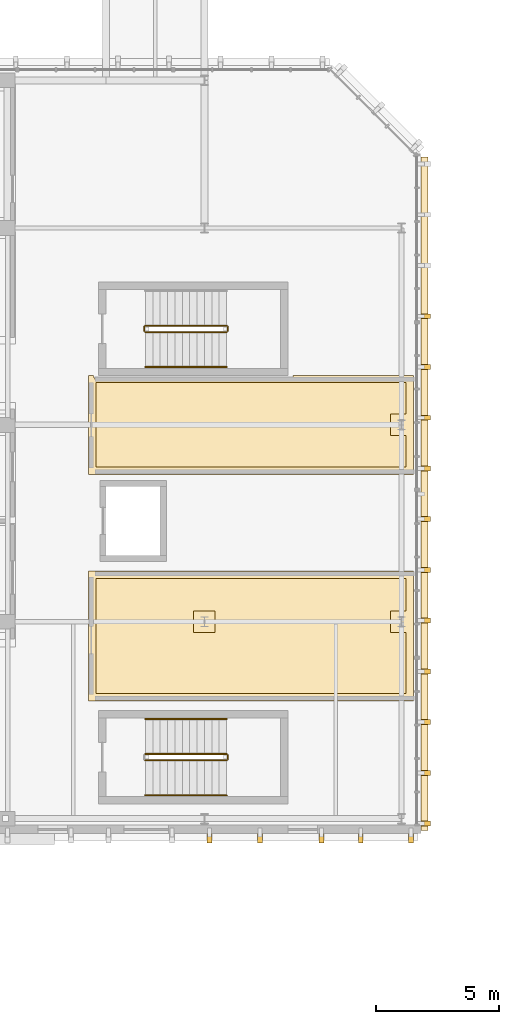
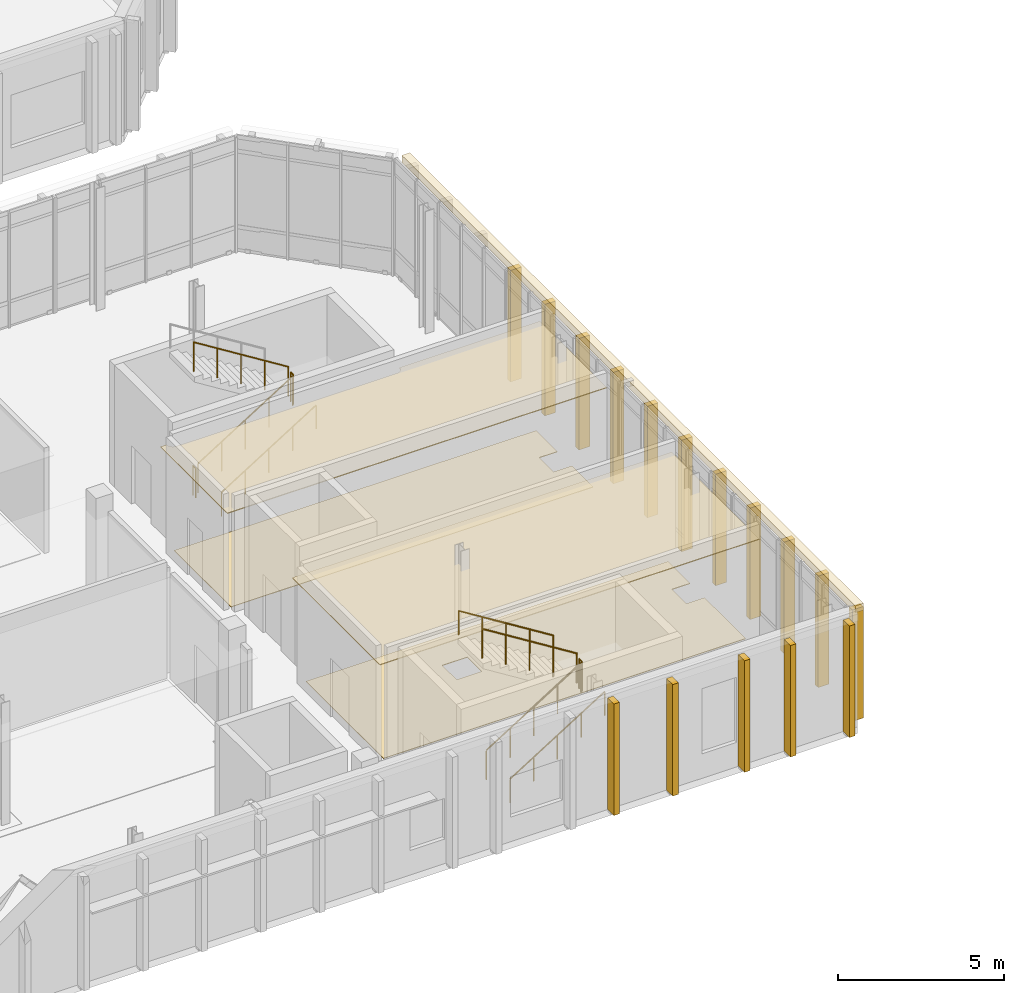
# One storey, part 54 of 62: 21 coverings, 10 railings.
"""IFC4 building model written with IfcOpenShell, lengths in metres."""

from ifc_helpers import new_model, si_unit, direction, frame, origin, origin_2d, place, context, subcontext, project, spatial, polyline, rectangle, circle, outline, extrude, material, layer, layer_set, type_object, element, save


model = new_model("IFC4")

# Units and contexts
model_context = context("Model", 3, precision=1e-05, world=origin(), true_north=direction((0.0, 1.0)))
body_context = subcontext(model_context, "Body", "Model", "MODEL_VIEW")
ifc_project = project(units=[si_unit("LENGTHUNIT", "METRE"), si_unit("AREAUNIT", "SQUARE_METRE"), si_unit("VOLUMEUNIT", "CUBIC_METRE"), si_unit("PLANEANGLEUNIT", "RADIAN"), si_unit("MASSUNIT", "GRAM", prefix="KILO")], contexts=[model_context])

# Site, building, storey
site_placement = place(None, origin())
site = spatial("IfcSite", under=ifc_project, at=site_placement, CompositionType="ELEMENT")
building_placement = place(site_placement, origin())
building = spatial("IfcBuilding", under=site, at=building_placement, Name="Cymarion Research Institute", CompositionType="ELEMENT")
storey_placement = place(building_placement, frame((0.0, 0.0, 18.300048828125)))
storey = spatial("IfcBuildingStorey", under=building, at=storey_placement, Name="L04", CompositionType="ELEMENT", Elevation=18.300048828125)

# Coverings
ifc_material_1 = material(Name="Micro-perforated mineral acoustic ceiling tile", Category="gypsum")
ifc_layer_1 = layer(ifc_material_1, 0.030029296875)
ifc_layer_set_1 = layer_set([ifc_layer_1], Name="Micro-perforated mineral acoustic ceiling tile")
covering_type_1 = type_object("IfcCoveringType", Name="ACOUSTIC MICRO-PERFORATED SUSPENDED CEILING CLG-01", PredefinedType="CEILING", material=ifc_layer_set_1)
covering_1_placement = place(storey_placement, frame((0.0, 0.0, 3.72998046875)))
element("IfcCovering", 1, at=covering_1_placement, inside=storey, type_object=covering_type_1, Name="L04 L04 Gas Cabinet & Thin-Film Deposition Laboratory acoustic ceiling", PredefinedType="CEILING", context=body_context, shape_type="SweptSolid", body=[
    extrude(outline(polyline([(47.094970703125, 57.56494140625), (47.094970703125, 52.284912109375), (33.885009765625, 52.284912109375), (33.885009765625, 57.56494140625), (47.094970703125, 57.56494140625)])), origin(), (0.0, 0.0, 1.0), 0.030029296875),
])
covering_2_placement = place(storey_placement, frame((0.0, 0.0, 3.72998046875)))
element("IfcCovering", 2, at=covering_2_placement, inside=storey, type_object=covering_type_1, Name="L04 L04 Accessible WC and Cleanroom Staff Washrooms acoustic ceiling", PredefinedType="CEILING", context=body_context, shape_type="SweptSolid", body=[
    extrude(outline(polyline([(34.10009765625, 65.514892578125), (34.10009765625, 65.5), (34.10107421875, 65.48046875), (34.103759765625, 65.4609375), (34.108642578125, 65.44189453125), (34.115234375, 65.423583984375), (34.12353515625, 65.40576171875), (34.1337890625, 65.388916015625), (34.1455078125, 65.373046875), (34.15869140625, 65.358642578125), (34.173095703125, 65.345458984375), (34.18896484375, 65.333740234375), (34.205810546875, 65.323486328125), (34.223388671875, 65.315185546875), (34.241943359375, 65.30859375), (34.260986328125, 65.3037109375), (34.280517578125, 65.301025390625), (34.300048828125, 65.300048828125), (42.0, 65.300048828125), (42.01953125, 65.301025390625), (42.0390625, 65.3037109375), (42.05810546875, 65.30859375), (42.076416015625, 65.315185546875), (42.09423828125, 65.323486328125), (42.111083984375, 65.333740234375), (42.126953125, 65.345458984375), (42.141357421875, 65.358642578125), (42.154541015625, 65.373046875), (42.166259765625, 65.388916015625), (42.176513671875, 65.40576171875), (42.184814453125, 65.423583984375), (42.19140625, 65.44189453125), (42.1962890625, 65.4609375), (42.198974609375, 65.48046875), (42.199951171875, 65.5), (42.199951171875, 65.514892578125), (47.094970703125, 65.514892578125), (47.094970703125, 61.485107421875), (33.885009765625, 61.485107421875), (33.885009765625, 65.514892578125), (34.10009765625, 65.514892578125)])), origin(), (0.0, 0.0, 1.0), 0.030029296875),
])

# Railings
ifc_material_2 = material(Name="Steel S355", Category="steel")
railing_type_1 = type_object("IfcRailingType", Name="PAINTED STEEL STAIR GUARDRAIL GR1 1100MM", PredefinedType="GUARDRAIL", material=ifc_material_2)
railing_1_placement = place(storey_placement, frame((36.199951171875, 49.8701171875, 0.1875)))
element("IfcRailing", 3, at=railing_1_placement, inside=storey, type_object=railing_type_1, Name="L04 ST7 stair guard 1", PredefinedType="GUARDRAIL", context=body_context, shape_type="SweptSolid", body=[
    extrude(circle(Radius=0.02392578125, at=origin_2d()), frame((0.0, 0.0, 1.076171875), z_axis=(0.848001828478, 0.0, 0.529993300805), x_axis=(0.0, 1.0, 0.0)), (0.0, 0.0, 1.0), 3.8916015625),
    extrude(circle(Radius=0.02099609375, at=origin_2d()), origin(), (0.0, 0.0, 1.0), 1.052001953125),
    extrude(circle(Radius=0.02099609375, at=origin_2d()), frame((0.824951171875, 0.0, 0.515625)), (0.0, 0.0, 1.0), 1.052001953125),
    extrude(circle(Radius=0.02099609375, at=origin_2d()), frame((1.64990234375, 0.0, 1.03125)), (0.0, 0.0, 1.0), 1.052001953125),
    extrude(circle(Radius=0.02099609375, at=origin_2d()), frame((2.47509765625, 0.0, 1.546875)), (0.0, 0.0, 1.0), 1.052001953125),
    extrude(circle(Radius=0.02099609375, at=origin_2d()), frame((3.300048828125, 0.0, 2.0625)), (0.0, 0.0, 1.0), 1.052001953125),
])
railing_2_placement = place(storey_placement, frame((39.550048828125, 49.919921875, 2.25)))
element("IfcRailing", 4, at=railing_2_placement, inside=storey, type_object=railing_type_1, Name="L04 ST7 stair guard 2", PredefinedType="GUARDRAIL", context=body_context, shape_type="SweptSolid", body=[
    extrude(circle(Radius=0.02392578125, at=origin_2d()), frame((0.0, 0.0, 1.076171875), z_axis=(0.0, 1.0, 0.0), x_axis=(-1.0, 0.0, 0.0)), (0.0, 0.0, 1.0), 0.16015625),
    extrude(circle(Radius=0.02099609375, at=origin_2d()), origin(), (0.0, 0.0, 1.0), 1.052001953125),
    extrude(circle(Radius=0.02099609375, at=origin_2d()), frame((0.0, 0.16015625, 0.0)), (0.0, 0.0, 1.0), 1.052001953125),
])
railing_3_placement = place(storey_placement, frame((39.5, 50.1298828125, 2.4375)))
element("IfcRailing", 5, at=railing_3_placement, inside=storey, type_object=railing_type_1, Name="L04 ST7 stair guard 3", PredefinedType="GUARDRAIL", context=body_context, shape_type="SweptSolid", body=[
    extrude(circle(Radius=0.02392578125, at=origin_2d()), frame((0.0, 0.0, 1.076171875), z_axis=(-0.848001828478, 0.0, 0.529993300805), x_axis=(0.0, -1.0, 0.0)), (0.0, 0.0, 1.0), 3.8916015625),
    extrude(circle(Radius=0.02099609375, at=origin_2d()), origin(), (0.0, 0.0, 1.0), 1.052001953125),
    extrude(circle(Radius=0.02099609375, at=origin_2d()), frame((-0.824951171875, 0.0, 0.515625)), (0.0, 0.0, 1.0), 1.052001953125),
    extrude(circle(Radius=0.02099609375, at=origin_2d()), frame((-1.64990234375, 0.0, 1.03125)), (0.0, 0.0, 1.0), 1.052001953125),
    extrude(circle(Radius=0.02099609375, at=origin_2d()), frame((-2.47509765625, 0.0, 1.546875)), (0.0, 0.0, 1.0), 1.052001953125),
    extrude(circle(Radius=0.02099609375, at=origin_2d()), frame((-3.300048828125, 0.0, 2.0625)), (0.0, 0.0, 1.0), 1.052001953125),
])
railing_4_placement = place(storey_placement, frame((36.199951171875, 67.27001953125, 0.1875)))
element("IfcRailing", 6, at=railing_4_placement, inside=storey, type_object=railing_type_1, Name="L04 ST8 stair guard 1", PredefinedType="GUARDRAIL", context=body_context, shape_type="SweptSolid", body=[
    extrude(circle(Radius=0.02392578125, at=origin_2d()), frame((0.0, 0.0, 1.076171875), z_axis=(0.848001828478, 0.0, 0.529993300805), x_axis=(0.0, 1.0, 0.0)), (0.0, 0.0, 1.0), 3.8916015625),
    extrude(circle(Radius=0.02099609375, at=origin_2d()), origin(), (0.0, 0.0, 1.0), 1.052001953125),
    extrude(circle(Radius=0.02099609375, at=origin_2d()), frame((0.824951171875, 0.0, 0.515625)), (0.0, 0.0, 1.0), 1.052001953125),
    extrude(circle(Radius=0.02099609375, at=origin_2d()), frame((1.64990234375, 0.0, 1.03125)), (0.0, 0.0, 1.0), 1.052001953125),
    extrude(circle(Radius=0.02099609375, at=origin_2d()), frame((2.47509765625, 0.0, 1.546875)), (0.0, 0.0, 1.0), 1.052001953125),
    extrude(circle(Radius=0.02099609375, at=origin_2d()), frame((3.300048828125, 0.0, 2.0625)), (0.0, 0.0, 1.0), 1.052001953125),
])
railing_5_placement = place(storey_placement, frame((39.550048828125, 67.320068359375, 2.25)))
element("IfcRailing", 7, at=railing_5_placement, inside=storey, type_object=railing_type_1, Name="L04 ST8 stair guard 2", PredefinedType="GUARDRAIL", context=body_context, shape_type="SweptSolid", body=[
    extrude(circle(Radius=0.02392578125, at=origin_2d()), frame((0.0, 0.0, 1.076171875), z_axis=(0.0, 1.0, 0.0), x_axis=(-1.0, 0.0, 0.0)), (0.0, 0.0, 1.0), 0.159912109375),
    extrude(circle(Radius=0.02099609375, at=origin_2d()), origin(), (0.0, 0.0, 1.0), 1.052001953125),
    extrude(circle(Radius=0.02099609375, at=origin_2d()), frame((0.0, 0.159912109375, 0.0)), (0.0, 0.0, 1.0), 1.052001953125),
])
railing_6_placement = place(storey_placement, frame((39.5, 67.530029296875, 2.4375)))
element("IfcRailing", 8, at=railing_6_placement, inside=storey, type_object=railing_type_1, Name="L04 ST8 stair guard 3", PredefinedType="GUARDRAIL", context=body_context, shape_type="SweptSolid", body=[
    extrude(circle(Radius=0.02392578125, at=origin_2d()), frame((0.0, 0.0, 1.076171875), z_axis=(-0.848001828478, 0.0, 0.529993300805), x_axis=(0.0, -1.0, 0.0)), (0.0, 0.0, 1.0), 3.8916015625),
    extrude(circle(Radius=0.02099609375, at=origin_2d()), origin(), (0.0, 0.0, 1.0), 1.052001953125),
    extrude(circle(Radius=0.02099609375, at=origin_2d()), frame((-0.824951171875, 0.0, 0.515625)), (0.0, 0.0, 1.0), 1.052001953125),
    extrude(circle(Radius=0.02099609375, at=origin_2d()), frame((-1.64990234375, 0.0, 1.03125)), (0.0, 0.0, 1.0), 1.052001953125),
    extrude(circle(Radius=0.02099609375, at=origin_2d()), frame((-2.47509765625, 0.0, 1.546875)), (0.0, 0.0, 1.0), 1.052001953125),
    extrude(circle(Radius=0.02099609375, at=origin_2d()), frame((-3.300048828125, 0.0, 2.0625)), (0.0, 0.0, 1.0), 1.052001953125),
])
railing_7_placement = place(storey_placement, frame((36.14990234375, 67.320068359375, 0.0)))
element("IfcRailing", 9, at=railing_7_placement, inside=storey, type_object=railing_type_1, Name="L04 ST8 stair guard 4", PredefinedType="GUARDRAIL", context=body_context, shape_type="SweptSolid", body=[
    extrude(circle(Radius=0.02392578125, at=origin_2d()), frame((0.0, 0.0, 1.076171875), z_axis=(0.0, 1.0, 0.0), x_axis=(-1.0, 0.0, 0.0)), (0.0, 0.0, 1.0), 0.159912109375),
    extrude(circle(Radius=0.02099609375, at=origin_2d()), origin(), (0.0, 0.0, 1.0), 1.052001953125),
    extrude(circle(Radius=0.02099609375, at=origin_2d()), frame((0.0, 0.159912109375, 0.0)), (0.0, 0.0, 1.0), 1.052001953125),
])

# Coverings
ifc_material_3 = material(Name="Precast concrete C45/55 architectural white", Category="concrete")
ifc_layer_2 = layer(ifc_material_3, 0.260009765625)
ifc_layer_set_2 = layer_set([ifc_layer_2], Name="Precast concrete C45/55 architectural white")
covering_type_2 = type_object("IfcCoveringType", Name="SCULPTURAL WHITE PRECAST CONCRETE SPANDREL BROW BAND RIB2 280MM", PredefinedType="CLADDING", material=ifc_layer_set_2)
covering_3_placement = place(storey_placement, frame((47.5419921875, 60.699951171875, 4.1201171875), z_axis=(0.0, 0.0, 1.0), x_axis=(1.0, 0.0, 0.0)))
element("IfcCovering", 10, at=covering_3_placement, inside=storey, type_object=covering_type_2, Name="L04 V4 precast spandrel brow band RIB2 #841", PredefinedType="CLADDING", context=body_context, shape_type="SweptSolid", body=[
    extrude(rectangle(XDim=0.280029296875, YDim=27.360107421875, at=origin_2d()), origin(), (0.0, 0.0, 1.0), 0.260009765625),
])
ifc_layer_3 = layer(ifc_material_3, 0.199951171875)
ifc_layer_set_3 = layer_set([ifc_layer_3], Name="Precast concrete C45/55 architectural white")
covering_type_3 = type_object("IfcCoveringType", Name="SCULPTURAL WHITE PRECAST CONCRETE VERTICAL RIB RIB1 380X200", PredefinedType="CLADDING", material=ifc_layer_set_3)
for number, where, z_axis, x_axis, name in (
    (11, (38.800048828125, 46.7080078125, 0.010009765625), (0.0, 0.0, 1.0), (0.0, -1.0, 0.0), "L04 V4 sculptural precast vertical rib RIB1 #836"),
    (12, (40.85009765625, 46.7080078125, 0.010009765625), (0.0, 0.0, 1.0), (0.0, -1.0, 0.0), "L04 V4 sculptural precast vertical rib RIB1 #837"),
    (13, (43.35009765625, 46.7080078125, 0.010009765625), (0.0, 0.0, 1.0), (0.0, -1.0, 0.0), "L04 V4 sculptural precast vertical rib RIB1 #838"),
    (14, (44.949951171875, 46.7080078125, 0.010009765625), (0.0, 0.0, 1.0), (0.0, -1.0, 0.0), "L04 V4 sculptural precast vertical rib RIB1 #839"),
    (15, (47.0, 46.7080078125, 0.010009765625), (0.0, 0.0, 1.0), (0.0, -1.0, 0.0), "L04 V4 sculptural precast vertical rib RIB1 #840"),
    (16, (47.592041015625, 47.300048828125, 0.010009765625), (0.0, 0.0, 1.0), (1.0, 0.0, 0.0), "L04 V4 sculptural precast vertical rib RIB1 #842"),
    (17, (47.592041015625, 49.361572265625, 0.010009765625), (0.0, 0.0, 1.0), (1.0, 0.0, 0.0), "L04 V4 sculptural precast vertical rib RIB1 #843"),
    (18, (47.592041015625, 51.423095703125, 0.010009765625), (0.0, 0.0, 1.0), (1.0, 0.0, 0.0), "L04 V4 sculptural precast vertical rib RIB1 #844"),
    (19, (47.592041015625, 53.484619140625, 0.010009765625), (0.0, 0.0, 1.0), (1.0, 0.0, 0.0), "L04 V4 sculptural precast vertical rib RIB1 #845"),
    (20, (47.592041015625, 55.546142578125, 0.010009765625), (0.0, 0.0, 1.0), (1.0, 0.0, 0.0), "L04 V4 sculptural precast vertical rib RIB1 #846"),
    (21, (47.592041015625, 57.607666015625, 0.010009765625), (0.0, 0.0, 1.0), (1.0, 0.0, 0.0), "L04 V4 sculptural precast vertical rib RIB1 #847"),
    (22, (47.592041015625, 59.669189453125, 0.010009765625), (0.0, 0.0, 1.0), (1.0, 0.0, 0.0), "L04 V4 sculptural precast vertical rib RIB1 #848"),
    (23, (47.592041015625, 61.730712890625, 0.010009765625), (0.0, 0.0, 1.0), (1.0, 0.0, 0.0), "L04 V4 sculptural precast vertical rib RIB1 #849"),
    (24, (47.592041015625, 63.792236328125, 0.010009765625), (0.0, 0.0, 1.0), (1.0, 0.0, 0.0), "L04 V4 sculptural precast vertical rib RIB1 #850"),
    (25, (47.592041015625, 65.853759765625, 0.010009765625), (0.0, 0.0, 1.0), (1.0, 0.0, 0.0), "L04 V4 sculptural precast vertical rib RIB1 #851"),
    (26, (47.592041015625, 67.915283203125, 0.010009765625), (0.0, 0.0, 1.0), (1.0, 0.0, 0.0), "L04 V4 sculptural precast vertical rib RIB1 #852"),
):
    element("IfcCovering", number, at=place(storey_placement, frame(where, z_axis=z_axis, x_axis=x_axis)), inside=storey, type_object=covering_type_3, Name=name, PredefinedType="CLADDING", context=body_context, shape_type="SweptSolid", body=[
        extrude(rectangle(XDim=0.3798828125, YDim=0.199951171875, at=origin_2d()), origin(), (0.0, 0.0, 1.0), 4.10498046875),
    ])
ifc_material_4 = material(Name="Seamless dissipative epoxy resin flooring", Category="resin")
ifc_layer_4 = layer(ifc_material_4, 0.02001953125)
ifc_layer_set_4 = layer_set([ifc_layer_4], Name="Seamless dissipative epoxy resin flooring")
covering_type_4 = type_object("IfcCoveringType", Name="SEAMLESS ESD EPOXY LABORATORY FLOORING FLR-01", PredefinedType="FLOORING", material=ifc_layer_set_4)
covering_4_placement = place(storey_placement, origin())
element("IfcCovering", 27, at=covering_4_placement, inside=storey, type_object=covering_type_4, Name="L04 L04 Gas Cabinet & Thin-Film Deposition Laboratory ESD epoxy flooring", PredefinedType="FLOORING", context=body_context, shape_type="SweptSolid", body=[
    extrude(outline(polyline([(34.18505859375, 57.264892578125), (46.794921875, 57.264892578125), (46.794921875, 55.93505859375), (46.1650390625, 55.93505859375), (46.1650390625, 55.06494140625), (46.794921875, 55.06494140625), (46.794921875, 52.5849609375), (34.18505859375, 52.5849609375), (34.18505859375, 57.264892578125)]), holes=[polyline([(38.1650390625, 55.06494140625), (39.034912109375, 55.06494140625), (39.034912109375, 55.93505859375), (38.1650390625, 55.93505859375), (38.1650390625, 55.06494140625)])]), origin(), (0.0, 0.0, 1.0), 0.02001953125),
])
covering_5_placement = place(storey_placement, origin())
element("IfcCovering", 28, at=covering_5_placement, inside=storey, type_object=covering_type_4, Name="L04 L04 Accessible WC and Cleanroom Staff Washrooms ESD epoxy flooring", PredefinedType="FLOORING", context=body_context, shape_type="SweptSolid", body=[
    extrude(outline(polyline([(34.18505859375, 65.215087890625), (46.794921875, 65.215087890625), (46.794921875, 63.93505859375), (46.1650390625, 63.93505859375), (46.1650390625, 63.06494140625), (46.794921875, 63.06494140625), (46.794921875, 61.784912109375), (34.18505859375, 61.784912109375), (34.18505859375, 65.215087890625)])), origin(), (0.0, 0.0, 1.0), 0.02001953125),
])

# Railings
railing_type_2 = type_object("IfcRailingType", Name="STAINLESS STEEL STAIR HANDRAIL HR1 900MM", PredefinedType="HANDRAIL", material=ifc_material_2)
railing_8_placement = place(storey_placement, frame((36.199951171875, 48.449951171875, 0.1875)))
element("IfcRailing", 29, at=railing_8_placement, inside=storey, type_object=railing_type_2, Name="L04 ST7 stair handrail 1", PredefinedType="HANDRAIL", context=body_context, shape_type="SweptSolid", body=[
    extrude(circle(Radius=0.02392578125, at=origin_2d()), frame((0.0, 0.0, 0.8759765625), z_axis=(0.848001828478, 0.0, 0.529993300805), x_axis=(0.0, 1.0, 0.0)), (0.0, 0.0, 1.0), 3.8916015625),
    extrude(circle(Radius=0.02099609375, at=origin_2d()), origin(), (0.0, 0.0, 1.0), 0.851806640625),
    extrude(circle(Radius=0.02099609375, at=origin_2d()), frame((0.824951171875, 0.0, 0.515625)), (0.0, 0.0, 1.0), 0.851806640625),
    extrude(circle(Radius=0.02099609375, at=origin_2d()), frame((1.64990234375, 0.0, 1.03125)), (0.0, 0.0, 1.0), 0.851806640625),
    extrude(circle(Radius=0.02099609375, at=origin_2d()), frame((2.47509765625, 0.0, 1.546875)), (0.0, 0.0, 1.0), 0.851806640625),
    extrude(circle(Radius=0.02099609375, at=origin_2d()), frame((3.300048828125, 0.0, 2.0625)), (0.0, 0.0, 1.0), 0.851806640625),
])
railing_9_placement = place(storey_placement, frame((39.5, 51.550048828125, 2.4375)))
element("IfcRailing", 30, at=railing_9_placement, inside=storey, type_object=railing_type_2, Name="L04 ST7 stair handrail 2", PredefinedType="HANDRAIL", context=body_context, shape_type="SweptSolid", body=[
    extrude(circle(Radius=0.02392578125, at=origin_2d()), frame((0.0, 0.0, 0.8759765625), z_axis=(-0.848001828478, 0.0, 0.529993300805), x_axis=(0.0, -1.0, 0.0)), (0.0, 0.0, 1.0), 3.8916015625),
    extrude(circle(Radius=0.02099609375, at=origin_2d()), origin(), (0.0, 0.0, 1.0), 0.851806640625),
    extrude(circle(Radius=0.02099609375, at=origin_2d()), frame((-0.824951171875, 0.0, 0.515625)), (0.0, 0.0, 1.0), 0.851806640625),
    extrude(circle(Radius=0.02099609375, at=origin_2d()), frame((-1.64990234375, 0.0, 1.03125)), (0.0, 0.0, 1.0), 0.851806640625),
    extrude(circle(Radius=0.02099609375, at=origin_2d()), frame((-2.47509765625, 0.0, 1.546875)), (0.0, 0.0, 1.0), 0.851806640625),
    extrude(circle(Radius=0.02099609375, at=origin_2d()), frame((-3.300048828125, 0.0, 2.0625)), (0.0, 0.0, 1.0), 0.851806640625),
])
railing_10_placement = place(storey_placement, frame((36.199951171875, 65.85009765625, 0.1875)))
element("IfcRailing", 31, at=railing_10_placement, inside=storey, type_object=railing_type_2, Name="L04 ST8 stair handrail 1", PredefinedType="HANDRAIL", context=body_context, shape_type="SweptSolid", body=[
    extrude(circle(Radius=0.02392578125, at=origin_2d()), frame((0.0, 0.0, 0.8759765625), z_axis=(0.848001828478, 0.0, 0.529993300805), x_axis=(0.0, 1.0, 0.0)), (0.0, 0.0, 1.0), 3.8916015625),
    extrude(circle(Radius=0.02099609375, at=origin_2d()), origin(), (0.0, 0.0, 1.0), 0.851806640625),
    extrude(circle(Radius=0.02099609375, at=origin_2d()), frame((0.824951171875, 0.0, 0.515625)), (0.0, 0.0, 1.0), 0.851806640625),
    extrude(circle(Radius=0.02099609375, at=origin_2d()), frame((1.64990234375, 0.0, 1.03125)), (0.0, 0.0, 1.0), 0.851806640625),
    extrude(circle(Radius=0.02099609375, at=origin_2d()), frame((2.47509765625, 0.0, 1.546875)), (0.0, 0.0, 1.0), 0.851806640625),
    extrude(circle(Radius=0.02099609375, at=origin_2d()), frame((3.300048828125, 0.0, 2.0625)), (0.0, 0.0, 1.0), 0.851806640625),
])

save(model, "model.ifc")
